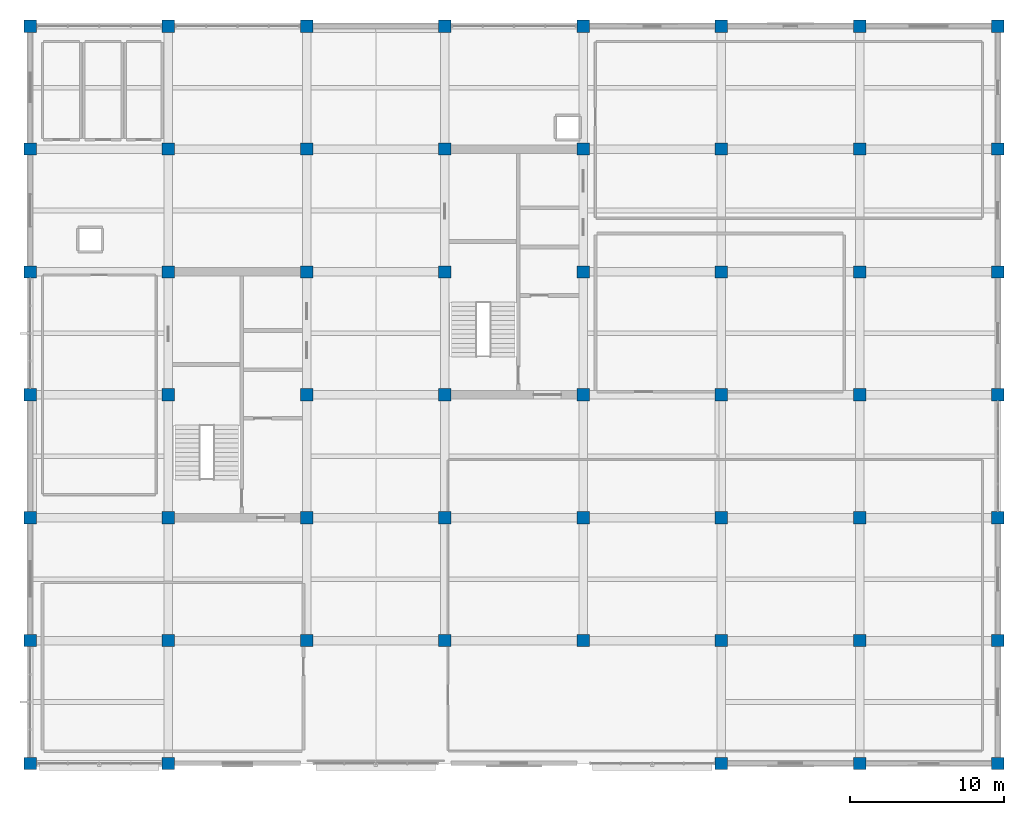
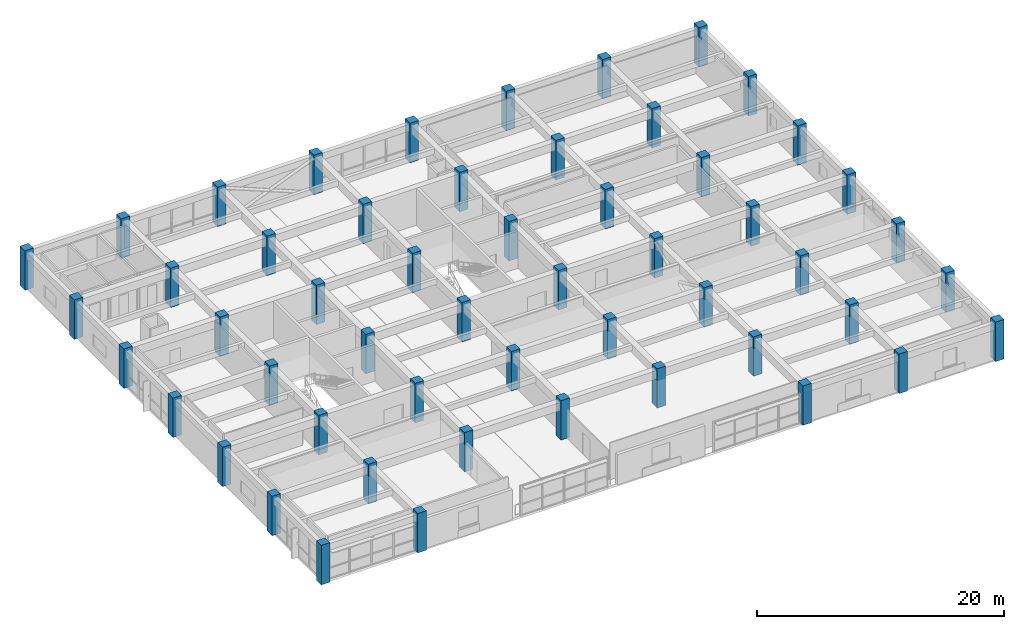
# One storey, part 1 of 16: 53 columns.
"""IFC4 building model written with IfcOpenShell, lengths in metres."""

from ifc_helpers import new_model, si_unit, direction, frame, origin, origin_2d, place, context, subcontext, project, spatial, rectangle, extrude, material, material_profile, profile_set, type_object, element, save


model = new_model("IFC4")

# Units and contexts
model_context = context("Model", 3, precision=1e-05, world=origin(), true_north=direction((0.0, 1.0)))
body_context = subcontext(model_context, "Body", "Model", "MODEL_VIEW")
ifc_project = project(units=[si_unit("LENGTHUNIT", "METRE"), si_unit("AREAUNIT", "SQUARE_METRE"), si_unit("VOLUMEUNIT", "CUBIC_METRE"), si_unit("PLANEANGLEUNIT", "RADIAN"), si_unit("MASSUNIT", "GRAM", prefix="KILO")], contexts=[model_context])

# Site, building, storey
site_placement = place(None, origin())
site = spatial("IfcSite", under=ifc_project, at=site_placement, CompositionType="ELEMENT")
building_placement = place(site_placement, origin())
building = spatial("IfcBuilding", under=site, at=building_placement, Name="Zaverband Oceanarium and Marine Research Institute", CompositionType="ELEMENT")
storey_placement = place(building_placement, frame((0.0, 0.0, 37.5)))
storey = spatial("IfcBuildingStorey", under=building, at=storey_placement, Name="L09", CompositionType="ELEMENT", Elevation=37.5)

# Columns
ifc_material = material(Name="Concrete C50/60", Category="concrete")
ifc_material_profile = material_profile(ifc_material, rectangle(XDim=0.800048828125, YDim=0.800048828125, at=origin_2d()), Name="RC800x800")
ifc_profile_set = profile_set([ifc_material_profile], Name="Concrete C50/60")
column_type = type_object("IfcColumnType", Name="COL-C800", PredefinedType="COLUMN", material=ifc_profile_set)
for number, where, z_axis, x_axis, name in (
    (1, (9.0, 64.0, 0.0), (0.0, 0.0, 1.0), (1.0, 0.0, 0.0), "Reinforced concrete column RC800x800 COL-C800"),
    (2, (9.0, 72.0, 0.0), (0.0, 0.0, 1.0), (1.0, 0.0, 0.0), "Reinforced concrete column RC800x800 COL-C800"),
    (3, (9.0, 80.0, 0.0), (0.0, 0.0, 1.0), (1.0, 0.0, 0.0), "Reinforced concrete column RC800x800 COL-C800"),
    (4, (9.0, 88.0, 0.0), (0.0, 0.0, 1.0), (1.0, 0.0, 0.0), "Reinforced concrete column RC800x800 COL-C800"),
    (5, (9.0, 96.0, 0.0), (0.0, 0.0, 1.0), (1.0, 0.0, 0.0), "Reinforced concrete column RC800x800 COL-C800"),
    (6, (9.0, 104.0, 0.0), (0.0, 0.0, 1.0), (1.0, 0.0, 0.0), "Reinforced concrete column RC800x800 COL-C800"),
    (7, (9.0, 112.0, 0.0), (0.0, 0.0, 1.0), (1.0, 0.0, 0.0), "Reinforced concrete column RC800x800 COL-C800"),
    (8, (18.0, 64.0, 0.0), (0.0, 0.0, 1.0), (1.0, 0.0, 0.0), "Reinforced concrete column RC800x800 COL-C800"),
    (9, (18.0, 72.0, 0.0), (0.0, 0.0, 1.0), (1.0, 0.0, 0.0), "Reinforced concrete column RC800x800 COL-C800"),
    (10, (18.0, 80.0, 0.0), (0.0, 0.0, 1.0), (1.0, 0.0, 0.0), "Reinforced concrete column RC800x800 COL-C800"),
    (11, (18.0, 88.0, 0.0), (0.0, 0.0, 1.0), (1.0, 0.0, 0.0), "Reinforced concrete column RC800x800 COL-C800"),
    (12, (18.0, 96.0, 0.0), (0.0, 0.0, 1.0), (1.0, 0.0, 0.0), "Reinforced concrete column RC800x800 COL-C800"),
    (13, (18.0, 104.0, 0.0), (0.0, 0.0, 1.0), (1.0, 0.0, 0.0), "Reinforced concrete column RC800x800 COL-C800"),
    (14, (18.0, 112.0, 0.0), (0.0, 0.0, 1.0), (1.0, 0.0, 0.0), "Reinforced concrete column RC800x800 COL-C800"),
    (15, (27.0, 72.0, 0.0), (0.0, 0.0, 1.0), (1.0, 0.0, 0.0), "Reinforced concrete column RC800x800 COL-C800"),
    (16, (27.0, 80.0, 0.0), (0.0, 0.0, 1.0), (1.0, 0.0, 0.0), "Reinforced concrete column RC800x800 COL-C800"),
    (17, (27.0, 88.0, 0.0), (0.0, 0.0, 1.0), (1.0, 0.0, 0.0), "Reinforced concrete column RC800x800 COL-C800"),
    (18, (27.0, 96.0, 0.0), (0.0, 0.0, 1.0), (1.0, 0.0, 0.0), "Reinforced concrete column RC800x800 COL-C800"),
    (19, (27.0, 104.0, 0.0), (0.0, 0.0, 1.0), (1.0, 0.0, 0.0), "Reinforced concrete column RC800x800 COL-C800"),
    (20, (27.0, 112.0, 0.0), (0.0, 0.0, 1.0), (1.0, 0.0, 0.0), "Reinforced concrete column RC800x800 COL-C800"),
    (21, (36.0, 72.0, 0.0), (0.0, 0.0, 1.0), (1.0, 0.0, 0.0), "Reinforced concrete column RC800x800 COL-C800"),
    (22, (36.0, 80.0, 0.0), (0.0, 0.0, 1.0), (1.0, 0.0, 0.0), "Reinforced concrete column RC800x800 COL-C800"),
    (23, (36.0, 88.0, 0.0), (0.0, 0.0, 1.0), (1.0, 0.0, 0.0), "Reinforced concrete column RC800x800 COL-C800"),
    (24, (36.0, 96.0, 0.0), (0.0, 0.0, 1.0), (1.0, 0.0, 0.0), "Reinforced concrete column RC800x800 COL-C800"),
    (25, (36.0, 104.0, 0.0), (0.0, 0.0, 1.0), (1.0, 0.0, 0.0), "Reinforced concrete column RC800x800 COL-C800"),
    (26, (36.0, 112.0, 0.0), (0.0, 0.0, 1.0), (1.0, 0.0, 0.0), "Reinforced concrete column RC800x800 COL-C800"),
    (27, (45.0, 72.0, 0.0), (0.0, 0.0, 1.0), (1.0, 0.0, 0.0), "Reinforced concrete column RC800x800 COL-C800"),
    (28, (45.0, 80.0, 0.0), (0.0, 0.0, 1.0), (1.0, 0.0, 0.0), "Reinforced concrete column RC800x800 COL-C800"),
    (29, (45.0, 88.0, 0.0), (0.0, 0.0, 1.0), (1.0, 0.0, 0.0), "Reinforced concrete column RC800x800 COL-C800"),
    (30, (45.0, 96.0, 0.0), (0.0, 0.0, 1.0), (1.0, 0.0, 0.0), "Reinforced concrete column RC800x800 COL-C800"),
    (31, (45.0, 104.0, 0.0), (0.0, 0.0, 1.0), (1.0, 0.0, 0.0), "Reinforced concrete column RC800x800 COL-C800"),
    (32, (45.0, 112.0, 0.0), (0.0, 0.0, 1.0), (1.0, 0.0, 0.0), "Reinforced concrete column RC800x800 COL-C800"),
    (33, (54.0, 64.0, 0.0), (0.0, 0.0, 1.0), (1.0, 0.0, 0.0), "Reinforced concrete column RC800x800 COL-C800"),
    (34, (54.0, 72.0, 0.0), (0.0, 0.0, 1.0), (1.0, 0.0, 0.0), "Reinforced concrete column RC800x800 COL-C800"),
    (35, (54.0, 80.0, 0.0), (0.0, 0.0, 1.0), (1.0, 0.0, 0.0), "Reinforced concrete column RC800x800 COL-C800"),
    (36, (54.0, 88.0, 0.0), (0.0, 0.0, 1.0), (1.0, 0.0, 0.0), "Reinforced concrete column RC800x800 COL-C800"),
    (37, (54.0, 96.0, 0.0), (0.0, 0.0, 1.0), (1.0, 0.0, 0.0), "Reinforced concrete column RC800x800 COL-C800"),
    (38, (54.0, 104.0, 0.0), (0.0, 0.0, 1.0), (1.0, 0.0, 0.0), "Reinforced concrete column RC800x800 COL-C800"),
    (39, (54.0, 112.0, 0.0), (0.0, 0.0, 1.0), (1.0, 0.0, 0.0), "Reinforced concrete column RC800x800 COL-C800"),
    (40, (63.0, 64.0, 0.0), (0.0, 0.0, 1.0), (1.0, 0.0, 0.0), "Reinforced concrete column RC800x800 COL-C800"),
    (41, (63.0, 72.0, 0.0), (0.0, 0.0, 1.0), (1.0, 0.0, 0.0), "Reinforced concrete column RC800x800 COL-C800"),
    (42, (63.0, 80.0, 0.0), (0.0, 0.0, 1.0), (1.0, 0.0, 0.0), "Reinforced concrete column RC800x800 COL-C800"),
    (43, (63.0, 88.0, 0.0), (0.0, 0.0, 1.0), (1.0, 0.0, 0.0), "Reinforced concrete column RC800x800 COL-C800"),
    (44, (63.0, 96.0, 0.0), (0.0, 0.0, 1.0), (1.0, 0.0, 0.0), "Reinforced concrete column RC800x800 COL-C800"),
    (45, (63.0, 104.0, 0.0), (0.0, 0.0, 1.0), (1.0, 0.0, 0.0), "Reinforced concrete column RC800x800 COL-C800"),
    (46, (63.0, 112.0, 0.0), (0.0, 0.0, 1.0), (1.0, 0.0, 0.0), "Reinforced concrete column RC800x800 COL-C800"),
    (47, (72.0, 64.0, 0.0), (0.0, 0.0, 1.0), (1.0, 0.0, 0.0), "Reinforced concrete column RC800x800 COL-C800"),
    (48, (72.0, 72.0, 0.0), (0.0, 0.0, 1.0), (1.0, 0.0, 0.0), "Reinforced concrete column RC800x800 COL-C800"),
    (49, (72.0, 80.0, 0.0), (0.0, 0.0, 1.0), (1.0, 0.0, 0.0), "Reinforced concrete column RC800x800 COL-C800"),
    (50, (72.0, 88.0, 0.0), (0.0, 0.0, 1.0), (1.0, 0.0, 0.0), "Reinforced concrete column RC800x800 COL-C800"),
    (51, (72.0, 96.0, 0.0), (0.0, 0.0, 1.0), (1.0, 0.0, 0.0), "Reinforced concrete column RC800x800 COL-C800"),
    (52, (72.0, 104.0, 0.0), (0.0, 0.0, 1.0), (1.0, 0.0, 0.0), "Reinforced concrete column RC800x800 COL-C800"),
    (53, (72.0, 112.0, 0.0), (0.0, 0.0, 1.0), (1.0, 0.0, 0.0), "Reinforced concrete column RC800x800 COL-C800"),
):
    element("IfcColumn", number, at=place(storey_placement, frame(where, z_axis=z_axis, x_axis=x_axis)), inside=storey, type_object=column_type, Name=name, PredefinedType="COLUMN", context=body_context, shape_type="SweptSolid", body=[
        extrude(rectangle(XDim=0.800048828125, YDim=0.800048828125, at=origin_2d()), origin(), (0.0, 0.0, 1.0), 3.89990234375),
    ])

save(model, "model.ifc")
